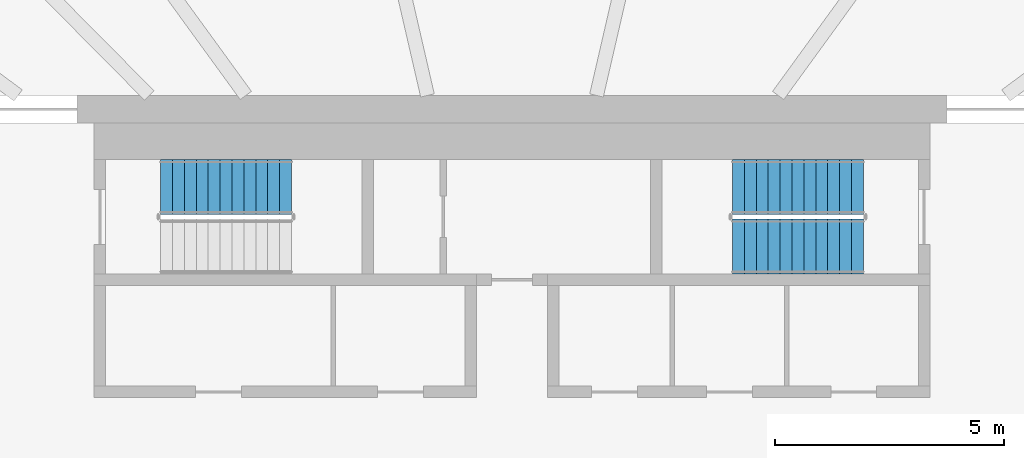
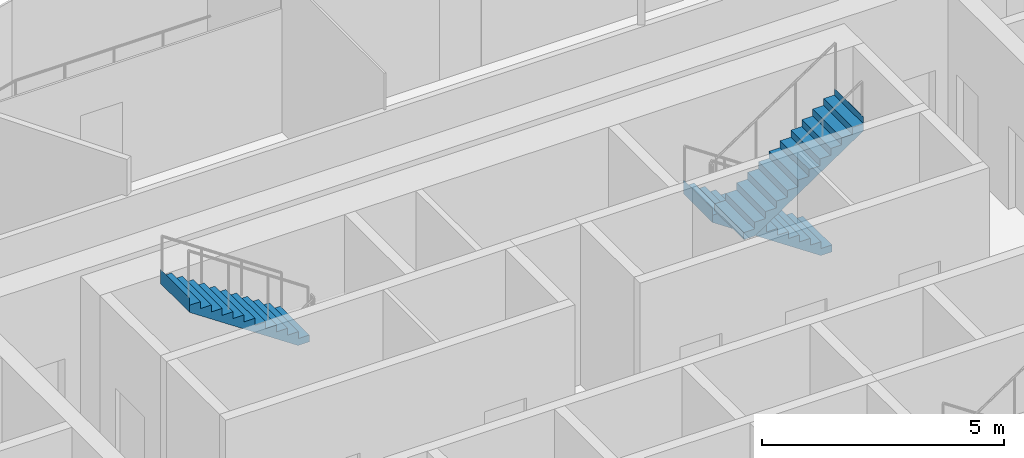
# One storey, part 18 of 24: 3 stair flights, 2 elements without a shape of their own.
"""IFC4 building model written with IfcOpenShell, lengths in metres."""

from ifc_helpers import new_model, si_unit, direction, frame, origin, place, context, subcontext, project, spatial, triangles, material, type_object, element, aggregate, save


model = new_model("IFC4")

# Units and contexts
model_context = context("Model", 3, precision=1e-05, world=origin(), true_north=direction((0.0, 1.0)))
body_context = subcontext(model_context, "Body", "Model", "MODEL_VIEW")
ifc_project = project(units=[si_unit("LENGTHUNIT", "METRE"), si_unit("AREAUNIT", "SQUARE_METRE"), si_unit("VOLUMEUNIT", "CUBIC_METRE"), si_unit("PLANEANGLEUNIT", "RADIAN"), si_unit("MASSUNIT", "GRAM", prefix="KILO")], contexts=[model_context])

# Site, building, storey
site_placement = place(None, origin())
site = spatial("IfcSite", under=ifc_project, at=site_placement, CompositionType="ELEMENT")
building_placement = place(site_placement, origin())
building = spatial("IfcBuilding", under=site, at=building_placement, Name="Sahrelin Media Tower", CompositionType="ELEMENT")
storey_placement = place(building_placement, frame((0.0, 0.0, 123.0)))
storey = spatial("IfcBuildingStorey", under=building, at=storey_placement, Name="L24", CompositionType="ELEMENT", Elevation=123.0)

# Stair, stair flight
ifc_material = material(Name="Concrete C40/50", Category="concrete")
stair_type = type_object("IfcStairType", Name="Exit stair 1200", PredefinedType="HALF_TURN_STAIR", material=ifc_material)
placement = place(storey_placement, origin())
stair_1 = element("IfcStair", 1, at=placement, inside=storey, type_object=stair_type, Name="L24 Exit stair ST1", PredefinedType="HALF_TURN_STAIR")
stair_flight_type = type_object("IfcStairFlightType", Name="Stair flight 1200", PredefinedType="STRAIGHT", material=ifc_material)
stair_flight_1_placement = place(storey_placement, frame((-4.81494140625, 6.0, 2.10009765625), z_axis=(0.0, 0.0, 1.0), x_axis=(-1.0, 0.0, 0.0)))
stair_flight_1 = element("IfcStairFlight", 2, at=stair_flight_1_placement, type_object=stair_flight_type, Name="ST1 flight 2", NumberOfRisers=12, NumberOfTreads=11, PredefinedType="STRAIGHT", RiserHeight=0.175, TreadLength=0.26, context=body_context, shape_type="Tessellation", body=[
    triangles([(0.2685546875, 0.60009765625, 0.0), (0.2685546875, 0.300048828125, 0.0), (0.2685546875, 0.0, 0.0), (0.2685546875, -0.300048828125, 0.0), (0.2685546875, -0.60009765625, 0.0), (2.860107421875, 0.60009765625, 1.744384765625), (2.860107421875, 0.300048828125, 1.744384765625), (2.860107421875, 0.0, 1.744384765625), (2.860107421875, -0.300048828125, 1.744384765625), (2.860107421875, -0.60009765625, 1.744384765625), (2.860107421875, 0.60009765625, 2.10009765625), (2.860107421875, 0.300048828125, 2.10009765625), (2.860107421875, 0.0, 2.10009765625), (2.860107421875, -0.300048828125, 2.10009765625), (2.860107421875, -0.60009765625, 2.10009765625), (2.85791015625, 0.60009765625, 2.10009765625), (2.85791015625, 0.300048828125, 2.10009765625), (2.85791015625, 0.0, 2.10009765625), (2.85791015625, -0.300048828125, 2.10009765625), (2.85791015625, -0.60009765625, 2.10009765625), (2.85791015625, 0.60009765625, 1.925048828125), (2.85791015625, 0.300048828125, 1.925048828125), (2.85791015625, 0.0, 1.925048828125), (2.85791015625, -0.300048828125, 1.925048828125), (2.85791015625, -0.60009765625, 1.925048828125), (2.60009765625, 0.60009765625, 1.925048828125), (2.60009765625, 0.300048828125, 1.925048828125), (2.60009765625, 0.0, 1.925048828125), (2.60009765625, -0.300048828125, 1.925048828125), (2.60009765625, -0.60009765625, 1.925048828125), (2.60009765625, 0.60009765625, 1.75), (2.60009765625, 0.300048828125, 1.75), (2.60009765625, 0.0, 1.75), (2.60009765625, -0.300048828125, 1.75), (2.60009765625, -0.60009765625, 1.75), (2.340087890625, 0.60009765625, 1.75), (2.340087890625, 0.300048828125, 1.75), (2.340087890625, 0.0, 1.75), (2.340087890625, -0.300048828125, 1.75), (2.340087890625, -0.60009765625, 1.75), (2.340087890625, 0.60009765625, 1.574951171875), (2.340087890625, 0.300048828125, 1.574951171875), (2.340087890625, 0.0, 1.574951171875), (2.340087890625, -0.300048828125, 1.574951171875), (2.340087890625, -0.60009765625, 1.574951171875), (2.080078125, 0.60009765625, 1.574951171875), (2.080078125, 0.300048828125, 1.574951171875), (2.080078125, 0.0, 1.574951171875), (2.080078125, -0.300048828125, 1.574951171875), (2.080078125, -0.60009765625, 1.574951171875), (2.080078125, 0.60009765625, 1.39990234375), (2.080078125, 0.300048828125, 1.39990234375), (2.080078125, 0.0, 1.39990234375), (2.080078125, -0.300048828125, 1.39990234375), (2.080078125, -0.60009765625, 1.39990234375), (1.820068359375, 0.60009765625, 1.39990234375), (1.820068359375, 0.300048828125, 1.39990234375), (1.820068359375, 0.0, 1.39990234375), (1.820068359375, -0.300048828125, 1.39990234375), (1.820068359375, -0.60009765625, 1.39990234375), (1.820068359375, 0.60009765625, 1.22509765625), (1.820068359375, 0.300048828125, 1.22509765625), (1.820068359375, 0.0, 1.22509765625), (1.820068359375, -0.300048828125, 1.22509765625), (1.820068359375, -0.60009765625, 1.22509765625), (1.56005859375, 0.60009765625, 1.22509765625), (1.56005859375, 0.300048828125, 1.22509765625), (1.56005859375, 0.0, 1.22509765625), (1.56005859375, -0.300048828125, 1.22509765625), (1.56005859375, -0.60009765625, 1.22509765625), (1.56005859375, 0.60009765625, 1.050048828125), (1.56005859375, 0.300048828125, 1.050048828125), (1.56005859375, 0.0, 1.050048828125), (1.56005859375, -0.300048828125, 1.050048828125), (1.56005859375, -0.60009765625, 1.050048828125), (1.300048828125, 0.60009765625, 1.050048828125), (1.300048828125, 0.300048828125, 1.050048828125), (1.300048828125, 0.0, 1.050048828125), (1.300048828125, -0.300048828125, 1.050048828125), (1.300048828125, -0.60009765625, 1.050048828125), (1.300048828125, 0.60009765625, 0.875), (1.300048828125, 0.300048828125, 0.875), (1.300048828125, 0.0, 0.875), (1.300048828125, -0.300048828125, 0.875), (1.300048828125, -0.60009765625, 0.875), (1.0400390625, 0.60009765625, 0.875), (1.0400390625, 0.300048828125, 0.875), (1.0400390625, 0.0, 0.875), (1.0400390625, -0.300048828125, 0.875), (1.0400390625, -0.60009765625, 0.875), (1.0400390625, 0.60009765625, 0.699951171875), (1.0400390625, 0.300048828125, 0.699951171875), (1.0400390625, 0.0, 0.699951171875), (1.0400390625, -0.300048828125, 0.699951171875), (1.0400390625, -0.60009765625, 0.699951171875), (0.780029296875, 0.60009765625, 0.699951171875), (0.780029296875, 0.300048828125, 0.699951171875), (0.780029296875, 0.0, 0.699951171875), (0.780029296875, -0.300048828125, 0.699951171875), (0.780029296875, -0.60009765625, 0.699951171875), (0.780029296875, 0.60009765625, 0.52490234375), (0.780029296875, 0.300048828125, 0.52490234375), (0.780029296875, 0.0, 0.52490234375), (0.780029296875, -0.300048828125, 0.52490234375), (0.780029296875, -0.60009765625, 0.52490234375), (0.52001953125, 0.60009765625, 0.52490234375), (0.52001953125, 0.300048828125, 0.52490234375), (0.52001953125, 0.0, 0.52490234375), (0.52001953125, -0.300048828125, 0.52490234375), (0.52001953125, -0.60009765625, 0.52490234375), (0.52001953125, 0.60009765625, 0.35009765625), (0.52001953125, 0.300048828125, 0.35009765625), (0.52001953125, 0.0, 0.35009765625), (0.52001953125, -0.300048828125, 0.35009765625), (0.52001953125, -0.60009765625, 0.35009765625), (0.260009765625, 0.60009765625, 0.35009765625), (0.260009765625, 0.300048828125, 0.35009765625), (0.260009765625, 0.0, 0.35009765625), (0.260009765625, -0.300048828125, 0.35009765625), (0.260009765625, -0.60009765625, 0.35009765625), (0.260009765625, 0.60009765625, 0.175048828125), (0.260009765625, 0.300048828125, 0.175048828125), (0.260009765625, 0.0, 0.175048828125), (0.260009765625, -0.300048828125, 0.175048828125), (0.260009765625, -0.60009765625, 0.175048828125), (0.0, 0.60009765625, 0.175048828125), (0.0, 0.300048828125, 0.175048828125), (0.0, 0.0, 0.175048828125), (0.0, -0.300048828125, 0.175048828125), (0.0, -0.60009765625, 0.175048828125), (0.0, 0.60009765625, 0.0), (0.0, 0.300048828125, 0.0), (0.0, 0.0, 0.0), (0.0, -0.300048828125, 0.0), (0.0, -0.60009765625, 0.0)], [[1, 6, 7], [1, 7, 2], [2, 7, 8], [2, 8, 3], [3, 8, 9], [3, 9, 4], [4, 9, 10], [4, 10, 5], [6, 11, 12], [6, 12, 7], [7, 12, 13], [7, 13, 8], [8, 13, 14], [8, 14, 9], [9, 14, 15], [9, 15, 10], [11, 16, 17], [11, 17, 12], [12, 17, 18], [12, 18, 13], [13, 18, 19], [13, 19, 14], [14, 19, 20], [14, 20, 15], [16, 21, 22], [16, 22, 17], [17, 22, 23], [17, 23, 18], [18, 23, 24], [18, 24, 19], [19, 24, 25], [19, 25, 20], [21, 26, 27], [21, 27, 22], [22, 27, 28], [22, 28, 23], [23, 28, 29], [23, 29, 24], [24, 29, 30], [24, 30, 25], [26, 31, 32], [26, 32, 27], [27, 32, 33], [27, 33, 28], [28, 33, 34], [28, 34, 29], [29, 34, 35], [29, 35, 30], [31, 36, 37], [31, 37, 32], [32, 37, 38], [32, 38, 33], [33, 38, 39], [33, 39, 34], [34, 39, 40], [34, 40, 35], [36, 41, 42], [36, 42, 37], [37, 42, 43], [37, 43, 38], [38, 43, 44], [38, 44, 39], [39, 44, 45], [39, 45, 40], [41, 46, 47], [41, 47, 42], [42, 47, 48], [42, 48, 43], [43, 48, 49], [43, 49, 44], [44, 49, 50], [44, 50, 45], [46, 51, 52], [46, 52, 47], [47, 52, 53], [47, 53, 48], [48, 53, 54], [48, 54, 49], [49, 54, 55], [49, 55, 50], [51, 56, 57], [51, 57, 52], [52, 57, 58], [52, 58, 53], [53, 58, 59], [53, 59, 54], [54, 59, 60], [54, 60, 55], [56, 61, 62], [56, 62, 57], [57, 62, 63], [57, 63, 58], [58, 63, 64], [58, 64, 59], [59, 64, 65], [59, 65, 60], [61, 66, 67], [61, 67, 62], [62, 67, 68], [62, 68, 63], [63, 68, 69], [63, 69, 64], [64, 69, 70], [64, 70, 65], [66, 71, 72], [66, 72, 67], [67, 72, 73], [67, 73, 68], [68, 73, 74], [68, 74, 69], [69, 74, 75], [69, 75, 70], [71, 76, 77], [71, 77, 72], [72, 77, 78], [72, 78, 73], [73, 78, 79], [73, 79, 74], [74, 79, 80], [74, 80, 75], [76, 81, 82], [76, 82, 77], [77, 82, 83], [77, 83, 78], [78, 83, 84], [78, 84, 79], [79, 84, 85], [79, 85, 80], [81, 86, 87], [81, 87, 82], [82, 87, 88], [82, 88, 83], [83, 88, 89], [83, 89, 84], [84, 89, 90], [84, 90, 85], [86, 91, 92], [86, 92, 87], [87, 92, 93], [87, 93, 88], [88, 93, 94], [88, 94, 89], [89, 94, 95], [89, 95, 90], [91, 96, 97], [91, 97, 92], [92, 97, 98], [92, 98, 93], [93, 98, 99], [93, 99, 94], [94, 99, 100], [94, 100, 95], [96, 101, 102], [96, 102, 97], [97, 102, 103], [97, 103, 98], [98, 103, 104], [98, 104, 99], [99, 104, 105], [99, 105, 100], [101, 106, 107], [101, 107, 102], [102, 107, 108], [102, 108, 103], [103, 108, 109], [103, 109, 104], [104, 109, 110], [104, 110, 105], [106, 111, 112], [106, 112, 107], [107, 112, 113], [107, 113, 108], [108, 113, 114], [108, 114, 109], [109, 114, 115], [109, 115, 110], [111, 116, 117], [111, 117, 112], [112, 117, 118], [112, 118, 113], [113, 118, 119], [113, 119, 114], [114, 119, 120], [114, 120, 115], [116, 121, 122], [116, 122, 117], [117, 122, 123], [117, 123, 118], [118, 123, 124], [118, 124, 119], [119, 124, 125], [119, 125, 120], [121, 126, 127], [121, 127, 122], [122, 127, 128], [122, 128, 123], [123, 128, 129], [123, 129, 124], [124, 129, 130], [124, 130, 125], [126, 131, 132], [126, 132, 127], [127, 132, 133], [127, 133, 128], [128, 133, 134], [128, 134, 129], [129, 134, 135], [129, 135, 130], [131, 1, 2], [131, 2, 132], [132, 2, 3], [132, 3, 133], [133, 3, 4], [133, 4, 134], [134, 4, 5], [134, 5, 135], [125, 130, 135], [121, 131, 126], [125, 115, 120], [121, 116, 111], [115, 105, 110], [111, 106, 101], [105, 95, 100], [101, 96, 91], [95, 85, 90], [91, 86, 81], [85, 75, 80], [81, 76, 71], [75, 65, 70], [71, 66, 61], [65, 55, 60], [61, 56, 51], [55, 45, 50], [51, 46, 41], [45, 35, 40], [41, 36, 31], [35, 25, 30], [31, 26, 21], [25, 15, 20], [21, 16, 11], [135, 5, 125], [131, 121, 1], [95, 105, 5], [91, 1, 101], [5, 10, 75], [1, 71, 6], [10, 35, 45], [6, 41, 31], [25, 10, 15], [21, 11, 6], [115, 125, 5], [111, 1, 121], [75, 85, 5], [71, 1, 81], [35, 10, 25], [31, 21, 6], [105, 115, 5], [101, 1, 111], [45, 55, 10], [41, 6, 51], [85, 95, 5], [81, 1, 91], [65, 10, 55], [61, 51, 6], [10, 65, 75], [6, 71, 61]], closed=True),
])
aggregate(stair_1, [stair_flight_1])

# Stair, stair flights
stair_2 = element("IfcStair", 3, at=placement, inside=storey, type_object=stair_type, Name="L24 Exit stair ST3", PredefinedType="HALF_TURN_STAIR")
stair_flight_2_placement = place(storey_placement, frame((7.675048828125, 6.0, 0.0), z_axis=(0.0, 0.0, 1.0), x_axis=(-1.0, 0.0, 0.0)))
stair_flight_2 = element("IfcStairFlight", 4, at=stair_flight_2_placement, type_object=stair_flight_type, Name="ST3 flight 1", NumberOfRisers=12, NumberOfTreads=11, PredefinedType="STRAIGHT", RiserHeight=0.175, TreadLength=0.26, context=body_context, shape_type="Tessellation", body=[
    triangles([(0.2685546875, 0.60009765625, 0.0), (0.2685546875, 0.300048828125, 0.0), (0.2685546875, 0.0, 0.0), (0.2685546875, -0.300048828125, 0.0), (0.2685546875, -0.60009765625, 0.0), (2.860107421875, 0.60009765625, 1.744384765625), (2.860107421875, 0.300048828125, 1.744384765625), (2.860107421875, 0.0, 1.744384765625), (2.860107421875, -0.300048828125, 1.744384765625), (2.860107421875, -0.60009765625, 1.744384765625), (2.860107421875, 0.60009765625, 2.10009765625), (2.860107421875, 0.300048828125, 2.10009765625), (2.860107421875, 0.0, 2.10009765625), (2.860107421875, -0.300048828125, 2.10009765625), (2.860107421875, -0.60009765625, 2.10009765625), (2.85791015625, 0.60009765625, 2.10009765625), (2.85791015625, 0.300048828125, 2.10009765625), (2.85791015625, 0.0, 2.10009765625), (2.85791015625, -0.300048828125, 2.10009765625), (2.85791015625, -0.60009765625, 2.10009765625), (2.85791015625, 0.60009765625, 1.925048828125), (2.85791015625, 0.300048828125, 1.925048828125), (2.85791015625, 0.0, 1.925048828125), (2.85791015625, -0.300048828125, 1.925048828125), (2.85791015625, -0.60009765625, 1.925048828125), (2.60009765625, 0.60009765625, 1.925048828125), (2.60009765625, 0.300048828125, 1.925048828125), (2.60009765625, 0.0, 1.925048828125), (2.60009765625, -0.300048828125, 1.925048828125), (2.60009765625, -0.60009765625, 1.925048828125), (2.60009765625, 0.60009765625, 1.75), (2.60009765625, 0.300048828125, 1.75), (2.60009765625, 0.0, 1.75), (2.60009765625, -0.300048828125, 1.75), (2.60009765625, -0.60009765625, 1.75), (2.340087890625, 0.60009765625, 1.75), (2.340087890625, 0.300048828125, 1.75), (2.340087890625, 0.0, 1.75), (2.340087890625, -0.300048828125, 1.75), (2.340087890625, -0.60009765625, 1.75), (2.340087890625, 0.60009765625, 1.574951171875), (2.340087890625, 0.300048828125, 1.574951171875), (2.340087890625, 0.0, 1.574951171875), (2.340087890625, -0.300048828125, 1.574951171875), (2.340087890625, -0.60009765625, 1.574951171875), (2.080078125, 0.60009765625, 1.574951171875), (2.080078125, 0.300048828125, 1.574951171875), (2.080078125, 0.0, 1.574951171875), (2.080078125, -0.300048828125, 1.574951171875), (2.080078125, -0.60009765625, 1.574951171875), (2.080078125, 0.60009765625, 1.39990234375), (2.080078125, 0.300048828125, 1.39990234375), (2.080078125, 0.0, 1.39990234375), (2.080078125, -0.300048828125, 1.39990234375), (2.080078125, -0.60009765625, 1.39990234375), (1.820068359375, 0.60009765625, 1.39990234375), (1.820068359375, 0.300048828125, 1.39990234375), (1.820068359375, 0.0, 1.39990234375), (1.820068359375, -0.300048828125, 1.39990234375), (1.820068359375, -0.60009765625, 1.39990234375), (1.820068359375, 0.60009765625, 1.22509765625), (1.820068359375, 0.300048828125, 1.22509765625), (1.820068359375, 0.0, 1.22509765625), (1.820068359375, -0.300048828125, 1.22509765625), (1.820068359375, -0.60009765625, 1.22509765625), (1.56005859375, 0.60009765625, 1.22509765625), (1.56005859375, 0.300048828125, 1.22509765625), (1.56005859375, 0.0, 1.22509765625), (1.56005859375, -0.300048828125, 1.22509765625), (1.56005859375, -0.60009765625, 1.22509765625), (1.56005859375, 0.60009765625, 1.050048828125), (1.56005859375, 0.300048828125, 1.050048828125), (1.56005859375, 0.0, 1.050048828125), (1.56005859375, -0.300048828125, 1.050048828125), (1.56005859375, -0.60009765625, 1.050048828125), (1.300048828125, 0.60009765625, 1.050048828125), (1.300048828125, 0.300048828125, 1.050048828125), (1.300048828125, 0.0, 1.050048828125), (1.300048828125, -0.300048828125, 1.050048828125), (1.300048828125, -0.60009765625, 1.050048828125), (1.300048828125, 0.60009765625, 0.875), (1.300048828125, 0.300048828125, 0.875), (1.300048828125, 0.0, 0.875), (1.300048828125, -0.300048828125, 0.875), (1.300048828125, -0.60009765625, 0.875), (1.0400390625, 0.60009765625, 0.875), (1.0400390625, 0.300048828125, 0.875), (1.0400390625, 0.0, 0.875), (1.0400390625, -0.300048828125, 0.875), (1.0400390625, -0.60009765625, 0.875), (1.0400390625, 0.60009765625, 0.699951171875), (1.0400390625, 0.300048828125, 0.699951171875), (1.0400390625, 0.0, 0.699951171875), (1.0400390625, -0.300048828125, 0.699951171875), (1.0400390625, -0.60009765625, 0.699951171875), (0.780029296875, 0.60009765625, 0.699951171875), (0.780029296875, 0.300048828125, 0.699951171875), (0.780029296875, 0.0, 0.699951171875), (0.780029296875, -0.300048828125, 0.699951171875), (0.780029296875, -0.60009765625, 0.699951171875), (0.780029296875, 0.60009765625, 0.52490234375), (0.780029296875, 0.300048828125, 0.52490234375), (0.780029296875, 0.0, 0.52490234375), (0.780029296875, -0.300048828125, 0.52490234375), (0.780029296875, -0.60009765625, 0.52490234375), (0.52001953125, 0.60009765625, 0.52490234375), (0.52001953125, 0.300048828125, 0.52490234375), (0.52001953125, 0.0, 0.52490234375), (0.52001953125, -0.300048828125, 0.52490234375), (0.52001953125, -0.60009765625, 0.52490234375), (0.52001953125, 0.60009765625, 0.35009765625), (0.52001953125, 0.300048828125, 0.35009765625), (0.52001953125, 0.0, 0.35009765625), (0.52001953125, -0.300048828125, 0.35009765625), (0.52001953125, -0.60009765625, 0.35009765625), (0.260009765625, 0.60009765625, 0.35009765625), (0.260009765625, 0.300048828125, 0.35009765625), (0.260009765625, 0.0, 0.35009765625), (0.260009765625, -0.300048828125, 0.35009765625), (0.260009765625, -0.60009765625, 0.35009765625), (0.260009765625, 0.60009765625, 0.175048828125), (0.260009765625, 0.300048828125, 0.175048828125), (0.260009765625, 0.0, 0.175048828125), (0.260009765625, -0.300048828125, 0.175048828125), (0.260009765625, -0.60009765625, 0.175048828125), (0.0, 0.60009765625, 0.175048828125), (0.0, 0.300048828125, 0.175048828125), (0.0, 0.0, 0.175048828125), (0.0, -0.300048828125, 0.175048828125), (0.0, -0.60009765625, 0.175048828125), (0.0, 0.60009765625, 0.0), (0.0, 0.300048828125, 0.0), (0.0, 0.0, 0.0), (0.0, -0.300048828125, 0.0), (0.0, -0.60009765625, 0.0)], [[1, 6, 7], [1, 7, 2], [2, 7, 8], [2, 8, 3], [3, 8, 9], [3, 9, 4], [4, 9, 10], [4, 10, 5], [6, 11, 12], [6, 12, 7], [7, 12, 13], [7, 13, 8], [8, 13, 14], [8, 14, 9], [9, 14, 15], [9, 15, 10], [11, 16, 17], [11, 17, 12], [12, 17, 18], [12, 18, 13], [13, 18, 19], [13, 19, 14], [14, 19, 20], [14, 20, 15], [16, 21, 22], [16, 22, 17], [17, 22, 23], [17, 23, 18], [18, 23, 24], [18, 24, 19], [19, 24, 25], [19, 25, 20], [21, 26, 27], [21, 27, 22], [22, 27, 28], [22, 28, 23], [23, 28, 29], [23, 29, 24], [24, 29, 30], [24, 30, 25], [26, 31, 32], [26, 32, 27], [27, 32, 33], [27, 33, 28], [28, 33, 34], [28, 34, 29], [29, 34, 35], [29, 35, 30], [31, 36, 37], [31, 37, 32], [32, 37, 38], [32, 38, 33], [33, 38, 39], [33, 39, 34], [34, 39, 40], [34, 40, 35], [36, 41, 42], [36, 42, 37], [37, 42, 43], [37, 43, 38], [38, 43, 44], [38, 44, 39], [39, 44, 45], [39, 45, 40], [41, 46, 47], [41, 47, 42], [42, 47, 48], [42, 48, 43], [43, 48, 49], [43, 49, 44], [44, 49, 50], [44, 50, 45], [46, 51, 52], [46, 52, 47], [47, 52, 53], [47, 53, 48], [48, 53, 54], [48, 54, 49], [49, 54, 55], [49, 55, 50], [51, 56, 57], [51, 57, 52], [52, 57, 58], [52, 58, 53], [53, 58, 59], [53, 59, 54], [54, 59, 60], [54, 60, 55], [56, 61, 62], [56, 62, 57], [57, 62, 63], [57, 63, 58], [58, 63, 64], [58, 64, 59], [59, 64, 65], [59, 65, 60], [61, 66, 67], [61, 67, 62], [62, 67, 68], [62, 68, 63], [63, 68, 69], [63, 69, 64], [64, 69, 70], [64, 70, 65], [66, 71, 72], [66, 72, 67], [67, 72, 73], [67, 73, 68], [68, 73, 74], [68, 74, 69], [69, 74, 75], [69, 75, 70], [71, 76, 77], [71, 77, 72], [72, 77, 78], [72, 78, 73], [73, 78, 79], [73, 79, 74], [74, 79, 80], [74, 80, 75], [76, 81, 82], [76, 82, 77], [77, 82, 83], [77, 83, 78], [78, 83, 84], [78, 84, 79], [79, 84, 85], [79, 85, 80], [81, 86, 87], [81, 87, 82], [82, 87, 88], [82, 88, 83], [83, 88, 89], [83, 89, 84], [84, 89, 90], [84, 90, 85], [86, 91, 92], [86, 92, 87], [87, 92, 93], [87, 93, 88], [88, 93, 94], [88, 94, 89], [89, 94, 95], [89, 95, 90], [91, 96, 97], [91, 97, 92], [92, 97, 98], [92, 98, 93], [93, 98, 99], [93, 99, 94], [94, 99, 100], [94, 100, 95], [96, 101, 102], [96, 102, 97], [97, 102, 103], [97, 103, 98], [98, 103, 104], [98, 104, 99], [99, 104, 105], [99, 105, 100], [101, 106, 107], [101, 107, 102], [102, 107, 108], [102, 108, 103], [103, 108, 109], [103, 109, 104], [104, 109, 110], [104, 110, 105], [106, 111, 112], [106, 112, 107], [107, 112, 113], [107, 113, 108], [108, 113, 114], [108, 114, 109], [109, 114, 115], [109, 115, 110], [111, 116, 117], [111, 117, 112], [112, 117, 118], [112, 118, 113], [113, 118, 119], [113, 119, 114], [114, 119, 120], [114, 120, 115], [116, 121, 122], [116, 122, 117], [117, 122, 123], [117, 123, 118], [118, 123, 124], [118, 124, 119], [119, 124, 125], [119, 125, 120], [121, 126, 127], [121, 127, 122], [122, 127, 128], [122, 128, 123], [123, 128, 129], [123, 129, 124], [124, 129, 130], [124, 130, 125], [126, 131, 132], [126, 132, 127], [127, 132, 133], [127, 133, 128], [128, 133, 134], [128, 134, 129], [129, 134, 135], [129, 135, 130], [131, 1, 2], [131, 2, 132], [132, 2, 3], [132, 3, 133], [133, 3, 4], [133, 4, 134], [134, 4, 5], [134, 5, 135], [125, 130, 135], [121, 131, 126], [125, 115, 120], [121, 116, 111], [115, 105, 110], [111, 106, 101], [105, 95, 100], [101, 96, 91], [95, 85, 90], [91, 86, 81], [85, 75, 80], [81, 76, 71], [75, 65, 70], [71, 66, 61], [65, 55, 60], [61, 56, 51], [55, 45, 50], [51, 46, 41], [45, 35, 40], [41, 36, 31], [35, 25, 30], [31, 26, 21], [25, 15, 20], [21, 16, 11], [135, 5, 125], [131, 121, 1], [95, 105, 5], [91, 1, 101], [5, 10, 75], [1, 71, 6], [10, 35, 45], [6, 41, 31], [25, 10, 15], [21, 11, 6], [115, 125, 5], [111, 1, 121], [75, 85, 5], [71, 1, 81], [35, 10, 25], [31, 21, 6], [105, 115, 5], [101, 1, 111], [45, 55, 10], [41, 6, 51], [85, 95, 5], [81, 1, 91], [65, 10, 55], [61, 51, 6], [10, 65, 75], [6, 71, 61]], closed=True),
])
stair_flight_3_placement = place(storey_placement, frame((4.81494140625, 4.699951171875, 2.10009765625), z_axis=(0.0, 0.0, 1.0), x_axis=(1.0, 0.0, 0.0)))
stair_flight_3 = element("IfcStairFlight", 5, at=stair_flight_3_placement, type_object=stair_flight_type, Name="ST3 flight 2", NumberOfRisers=12, NumberOfTreads=11, PredefinedType="STRAIGHT", RiserHeight=0.175, TreadLength=0.26, context=body_context, shape_type="Tessellation", body=[
    triangles([(0.2685546875, 0.60009765625, 0.0), (0.2685546875, 0.300048828125, 0.0), (0.2685546875, 0.0, 0.0), (0.2685546875, -0.300048828125, 0.0), (0.2685546875, -0.60009765625, 0.0), (2.860107421875, 0.60009765625, 1.744384765625), (2.860107421875, 0.300048828125, 1.744384765625), (2.860107421875, 0.0, 1.744384765625), (2.860107421875, -0.300048828125, 1.744384765625), (2.860107421875, -0.60009765625, 1.744384765625), (2.860107421875, 0.60009765625, 2.10009765625), (2.860107421875, 0.300048828125, 2.10009765625), (2.860107421875, 0.0, 2.10009765625), (2.860107421875, -0.300048828125, 2.10009765625), (2.860107421875, -0.60009765625, 2.10009765625), (2.85791015625, 0.60009765625, 2.10009765625), (2.85791015625, 0.300048828125, 2.10009765625), (2.85791015625, 0.0, 2.10009765625), (2.85791015625, -0.300048828125, 2.10009765625), (2.85791015625, -0.60009765625, 2.10009765625), (2.85791015625, 0.60009765625, 1.925048828125), (2.85791015625, 0.300048828125, 1.925048828125), (2.85791015625, 0.0, 1.925048828125), (2.85791015625, -0.300048828125, 1.925048828125), (2.85791015625, -0.60009765625, 1.925048828125), (2.60009765625, 0.60009765625, 1.925048828125), (2.60009765625, 0.300048828125, 1.925048828125), (2.60009765625, 0.0, 1.925048828125), (2.60009765625, -0.300048828125, 1.925048828125), (2.60009765625, -0.60009765625, 1.925048828125), (2.60009765625, 0.60009765625, 1.75), (2.60009765625, 0.300048828125, 1.75), (2.60009765625, 0.0, 1.75), (2.60009765625, -0.300048828125, 1.75), (2.60009765625, -0.60009765625, 1.75), (2.340087890625, 0.60009765625, 1.75), (2.340087890625, 0.300048828125, 1.75), (2.340087890625, 0.0, 1.75), (2.340087890625, -0.300048828125, 1.75), (2.340087890625, -0.60009765625, 1.75), (2.340087890625, 0.60009765625, 1.574951171875), (2.340087890625, 0.300048828125, 1.574951171875), (2.340087890625, 0.0, 1.574951171875), (2.340087890625, -0.300048828125, 1.574951171875), (2.340087890625, -0.60009765625, 1.574951171875), (2.080078125, 0.60009765625, 1.574951171875), (2.080078125, 0.300048828125, 1.574951171875), (2.080078125, 0.0, 1.574951171875), (2.080078125, -0.300048828125, 1.574951171875), (2.080078125, -0.60009765625, 1.574951171875), (2.080078125, 0.60009765625, 1.39990234375), (2.080078125, 0.300048828125, 1.39990234375), (2.080078125, 0.0, 1.39990234375), (2.080078125, -0.300048828125, 1.39990234375), (2.080078125, -0.60009765625, 1.39990234375), (1.820068359375, 0.60009765625, 1.39990234375), (1.820068359375, 0.300048828125, 1.39990234375), (1.820068359375, 0.0, 1.39990234375), (1.820068359375, -0.300048828125, 1.39990234375), (1.820068359375, -0.60009765625, 1.39990234375), (1.820068359375, 0.60009765625, 1.22509765625), (1.820068359375, 0.300048828125, 1.22509765625), (1.820068359375, 0.0, 1.22509765625), (1.820068359375, -0.300048828125, 1.22509765625), (1.820068359375, -0.60009765625, 1.22509765625), (1.56005859375, 0.60009765625, 1.22509765625), (1.56005859375, 0.300048828125, 1.22509765625), (1.56005859375, 0.0, 1.22509765625), (1.56005859375, -0.300048828125, 1.22509765625), (1.56005859375, -0.60009765625, 1.22509765625), (1.56005859375, 0.60009765625, 1.050048828125), (1.56005859375, 0.300048828125, 1.050048828125), (1.56005859375, 0.0, 1.050048828125), (1.56005859375, -0.300048828125, 1.050048828125), (1.56005859375, -0.60009765625, 1.050048828125), (1.300048828125, 0.60009765625, 1.050048828125), (1.300048828125, 0.300048828125, 1.050048828125), (1.300048828125, 0.0, 1.050048828125), (1.300048828125, -0.300048828125, 1.050048828125), (1.300048828125, -0.60009765625, 1.050048828125), (1.300048828125, 0.60009765625, 0.875), (1.300048828125, 0.300048828125, 0.875), (1.300048828125, 0.0, 0.875), (1.300048828125, -0.300048828125, 0.875), (1.300048828125, -0.60009765625, 0.875), (1.0400390625, 0.60009765625, 0.875), (1.0400390625, 0.300048828125, 0.875), (1.0400390625, 0.0, 0.875), (1.0400390625, -0.300048828125, 0.875), (1.0400390625, -0.60009765625, 0.875), (1.0400390625, 0.60009765625, 0.699951171875), (1.0400390625, 0.300048828125, 0.699951171875), (1.0400390625, 0.0, 0.699951171875), (1.0400390625, -0.300048828125, 0.699951171875), (1.0400390625, -0.60009765625, 0.699951171875), (0.780029296875, 0.60009765625, 0.699951171875), (0.780029296875, 0.300048828125, 0.699951171875), (0.780029296875, 0.0, 0.699951171875), (0.780029296875, -0.300048828125, 0.699951171875), (0.780029296875, -0.60009765625, 0.699951171875), (0.780029296875, 0.60009765625, 0.52490234375), (0.780029296875, 0.300048828125, 0.52490234375), (0.780029296875, 0.0, 0.52490234375), (0.780029296875, -0.300048828125, 0.52490234375), (0.780029296875, -0.60009765625, 0.52490234375), (0.52001953125, 0.60009765625, 0.52490234375), (0.52001953125, 0.300048828125, 0.52490234375), (0.52001953125, 0.0, 0.52490234375), (0.52001953125, -0.300048828125, 0.52490234375), (0.52001953125, -0.60009765625, 0.52490234375), (0.52001953125, 0.60009765625, 0.35009765625), (0.52001953125, 0.300048828125, 0.35009765625), (0.52001953125, 0.0, 0.35009765625), (0.52001953125, -0.300048828125, 0.35009765625), (0.52001953125, -0.60009765625, 0.35009765625), (0.260009765625, 0.60009765625, 0.35009765625), (0.260009765625, 0.300048828125, 0.35009765625), (0.260009765625, 0.0, 0.35009765625), (0.260009765625, -0.300048828125, 0.35009765625), (0.260009765625, -0.60009765625, 0.35009765625), (0.260009765625, 0.60009765625, 0.175048828125), (0.260009765625, 0.300048828125, 0.175048828125), (0.260009765625, 0.0, 0.175048828125), (0.260009765625, -0.300048828125, 0.175048828125), (0.260009765625, -0.60009765625, 0.175048828125), (0.0, 0.60009765625, 0.175048828125), (0.0, 0.300048828125, 0.175048828125), (0.0, 0.0, 0.175048828125), (0.0, -0.300048828125, 0.175048828125), (0.0, -0.60009765625, 0.175048828125), (0.0, 0.60009765625, 0.0), (0.0, 0.300048828125, 0.0), (0.0, 0.0, 0.0), (0.0, -0.300048828125, 0.0), (0.0, -0.60009765625, 0.0)], [[1, 6, 7], [1, 7, 2], [2, 7, 8], [2, 8, 3], [3, 8, 9], [3, 9, 4], [4, 9, 10], [4, 10, 5], [6, 11, 12], [6, 12, 7], [7, 12, 13], [7, 13, 8], [8, 13, 14], [8, 14, 9], [9, 14, 15], [9, 15, 10], [11, 16, 17], [11, 17, 12], [12, 17, 18], [12, 18, 13], [13, 18, 19], [13, 19, 14], [14, 19, 20], [14, 20, 15], [16, 21, 22], [16, 22, 17], [17, 22, 23], [17, 23, 18], [18, 23, 24], [18, 24, 19], [19, 24, 25], [19, 25, 20], [21, 26, 27], [21, 27, 22], [22, 27, 28], [22, 28, 23], [23, 28, 29], [23, 29, 24], [24, 29, 30], [24, 30, 25], [26, 31, 32], [26, 32, 27], [27, 32, 33], [27, 33, 28], [28, 33, 34], [28, 34, 29], [29, 34, 35], [29, 35, 30], [31, 36, 37], [31, 37, 32], [32, 37, 38], [32, 38, 33], [33, 38, 39], [33, 39, 34], [34, 39, 40], [34, 40, 35], [36, 41, 42], [36, 42, 37], [37, 42, 43], [37, 43, 38], [38, 43, 44], [38, 44, 39], [39, 44, 45], [39, 45, 40], [41, 46, 47], [41, 47, 42], [42, 47, 48], [42, 48, 43], [43, 48, 49], [43, 49, 44], [44, 49, 50], [44, 50, 45], [46, 51, 52], [46, 52, 47], [47, 52, 53], [47, 53, 48], [48, 53, 54], [48, 54, 49], [49, 54, 55], [49, 55, 50], [51, 56, 57], [51, 57, 52], [52, 57, 58], [52, 58, 53], [53, 58, 59], [53, 59, 54], [54, 59, 60], [54, 60, 55], [56, 61, 62], [56, 62, 57], [57, 62, 63], [57, 63, 58], [58, 63, 64], [58, 64, 59], [59, 64, 65], [59, 65, 60], [61, 66, 67], [61, 67, 62], [62, 67, 68], [62, 68, 63], [63, 68, 69], [63, 69, 64], [64, 69, 70], [64, 70, 65], [66, 71, 72], [66, 72, 67], [67, 72, 73], [67, 73, 68], [68, 73, 74], [68, 74, 69], [69, 74, 75], [69, 75, 70], [71, 76, 77], [71, 77, 72], [72, 77, 78], [72, 78, 73], [73, 78, 79], [73, 79, 74], [74, 79, 80], [74, 80, 75], [76, 81, 82], [76, 82, 77], [77, 82, 83], [77, 83, 78], [78, 83, 84], [78, 84, 79], [79, 84, 85], [79, 85, 80], [81, 86, 87], [81, 87, 82], [82, 87, 88], [82, 88, 83], [83, 88, 89], [83, 89, 84], [84, 89, 90], [84, 90, 85], [86, 91, 92], [86, 92, 87], [87, 92, 93], [87, 93, 88], [88, 93, 94], [88, 94, 89], [89, 94, 95], [89, 95, 90], [91, 96, 97], [91, 97, 92], [92, 97, 98], [92, 98, 93], [93, 98, 99], [93, 99, 94], [94, 99, 100], [94, 100, 95], [96, 101, 102], [96, 102, 97], [97, 102, 103], [97, 103, 98], [98, 103, 104], [98, 104, 99], [99, 104, 105], [99, 105, 100], [101, 106, 107], [101, 107, 102], [102, 107, 108], [102, 108, 103], [103, 108, 109], [103, 109, 104], [104, 109, 110], [104, 110, 105], [106, 111, 112], [106, 112, 107], [107, 112, 113], [107, 113, 108], [108, 113, 114], [108, 114, 109], [109, 114, 115], [109, 115, 110], [111, 116, 117], [111, 117, 112], [112, 117, 118], [112, 118, 113], [113, 118, 119], [113, 119, 114], [114, 119, 120], [114, 120, 115], [116, 121, 122], [116, 122, 117], [117, 122, 123], [117, 123, 118], [118, 123, 124], [118, 124, 119], [119, 124, 125], [119, 125, 120], [121, 126, 127], [121, 127, 122], [122, 127, 128], [122, 128, 123], [123, 128, 129], [123, 129, 124], [124, 129, 130], [124, 130, 125], [126, 131, 132], [126, 132, 127], [127, 132, 133], [127, 133, 128], [128, 133, 134], [128, 134, 129], [129, 134, 135], [129, 135, 130], [131, 1, 2], [131, 2, 132], [132, 2, 3], [132, 3, 133], [133, 3, 4], [133, 4, 134], [134, 4, 5], [134, 5, 135], [125, 130, 135], [121, 131, 126], [125, 115, 120], [121, 116, 111], [115, 105, 110], [111, 106, 101], [105, 95, 100], [101, 96, 91], [95, 85, 90], [91, 86, 81], [85, 75, 80], [81, 76, 71], [75, 65, 70], [71, 66, 61], [65, 55, 60], [61, 56, 51], [55, 45, 50], [51, 46, 41], [45, 35, 40], [41, 36, 31], [35, 25, 30], [31, 26, 21], [25, 15, 20], [21, 16, 11], [135, 5, 125], [131, 121, 1], [95, 105, 5], [91, 1, 101], [5, 10, 75], [1, 71, 6], [10, 35, 45], [6, 41, 31], [25, 10, 15], [21, 11, 6], [115, 125, 5], [111, 1, 121], [75, 85, 5], [71, 1, 81], [35, 10, 25], [31, 21, 6], [105, 115, 5], [101, 1, 111], [45, 55, 10], [41, 6, 51], [85, 95, 5], [81, 1, 91], [65, 10, 55], [61, 51, 6], [10, 65, 75], [6, 71, 61]], closed=True),
])
aggregate(stair_2, [stair_flight_2, stair_flight_3])

save(model, "model.ifc")
